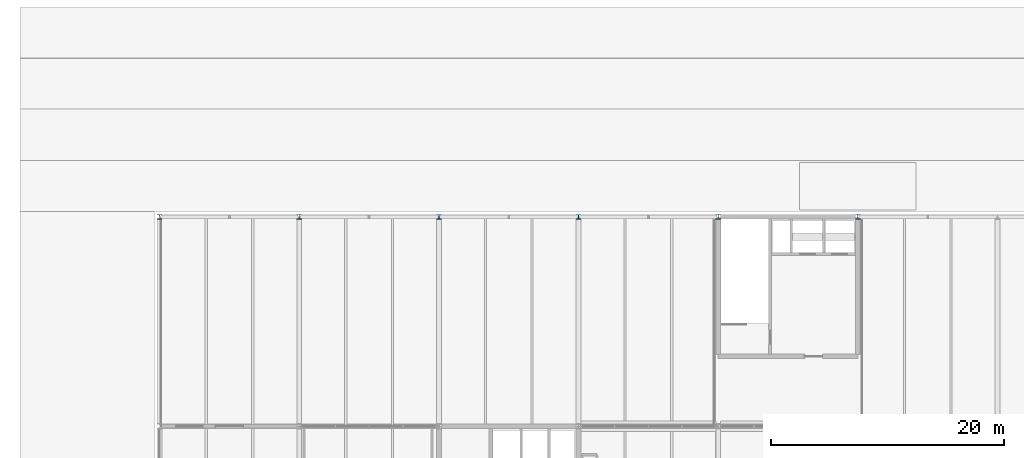
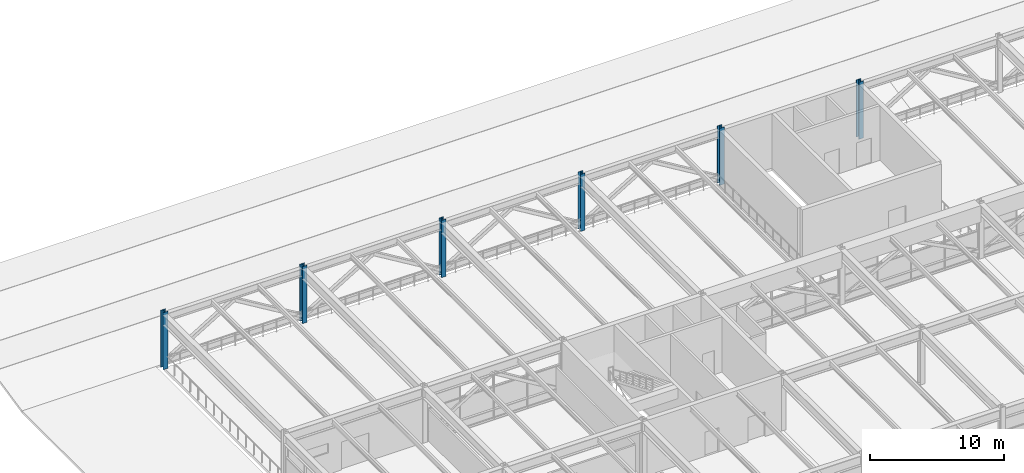
# One storey, part 4 of 42: 6 columns.
"""IFC4 building model written with IfcOpenShell, lengths in metres."""

from ifc_helpers import new_model, si_unit, direction, frame, origin, origin_2d, place, context, subcontext, project, spatial, i_section, extrude, material, material_profile, profile_set, type_object, element, save


model = new_model("IFC4")

# Units and contexts
model_context = context("Model", 3, precision=1e-05, world=origin(), true_north=direction((0.0, 1.0)))
body_context = subcontext(model_context, "Body", "Model", "MODEL_VIEW")
ifc_project = project(units=[si_unit("LENGTHUNIT", "METRE"), si_unit("AREAUNIT", "SQUARE_METRE"), si_unit("VOLUMEUNIT", "CUBIC_METRE"), si_unit("PLANEANGLEUNIT", "RADIAN"), si_unit("MASSUNIT", "GRAM", prefix="KILO")], contexts=[model_context])

# Site, building, storey
site_placement = place(None, origin())
site = spatial("IfcSite", under=ifc_project, at=site_placement, CompositionType="ELEMENT")
building_placement = place(site_placement, origin())
building = spatial("IfcBuilding", under=site, at=building_placement, Name="Girod Span Mobility Hub", CompositionType="ELEMENT")
storey_placement = place(building_placement, frame((0.0, 0.0, 32.39990234375)))
storey = spatial("IfcBuildingStorey", under=building, at=storey_placement, Name="L08", CompositionType="ELEMENT", Elevation=32.39990234375)

# Columns
ifc_material = material(Name="Steel A992 Grade 50", Category="steel")
ifc_material_profile = material_profile(ifc_material, i_section(OverallWidth=0.39892578125, OverallDepth=0.39306640625, WebThickness=0.022705078125, FlangeThickness=0.03662109375, FilletRadius=0.01806640625, at=origin_2d()), Name="W14X193")
ifc_profile_set = profile_set([ifc_material_profile], Name="Steel A992 Grade 50")
column_type = type_object("IfcColumnType", Name="COL-STL-W14X193", PredefinedType="COLUMN", material=ifc_profile_set)
for number, where, z_axis, x_axis, name in (
    (1, (24.0, 87.0, 0.0), (0.0, 0.0, 1.0), (1.0, 0.0, 0.0), "Column 3G L08"),
    (2, (36.0, 87.0, 0.0), (0.0, 0.0, 1.0), (1.0, 0.0, 0.0), "Column 4G L08"),
    (3, (48.0, 87.0, 0.0), (0.0, 0.0, 1.0), (1.0, 0.0, 0.0), "Column 5G L08"),
    (4, (60.0, 87.0, 0.0), (0.0, 0.0, 1.0), (1.0, 0.0, 0.0), "Column 6G L08"),
    (5, (72.0, 87.0, 0.0), (0.0, 0.0, 1.0), (1.0, 0.0, 0.0), "Column 7G L08"),
    (6, (84.0, 87.0, 0.0), (0.0, 0.0, 1.0), (1.0, 0.0, 0.0), "Column 8G L08"),
):
    element("IfcColumn", number, at=place(storey_placement, frame(where, z_axis=z_axis, x_axis=x_axis)), inside=storey, type_object=column_type, Name=name, PredefinedType="COLUMN", context=body_context, shape_type="SweptSolid", body=[
        extrude(i_section(OverallWidth=0.39892578125, OverallDepth=0.39306640625, WebThickness=0.022705078125, FlangeThickness=0.03662109375, FilletRadius=0.01806640625, at=origin_2d()), origin(), (0.0, 0.0, 1.0), 5.2001953125),
    ])

save(model, "model.ifc")
